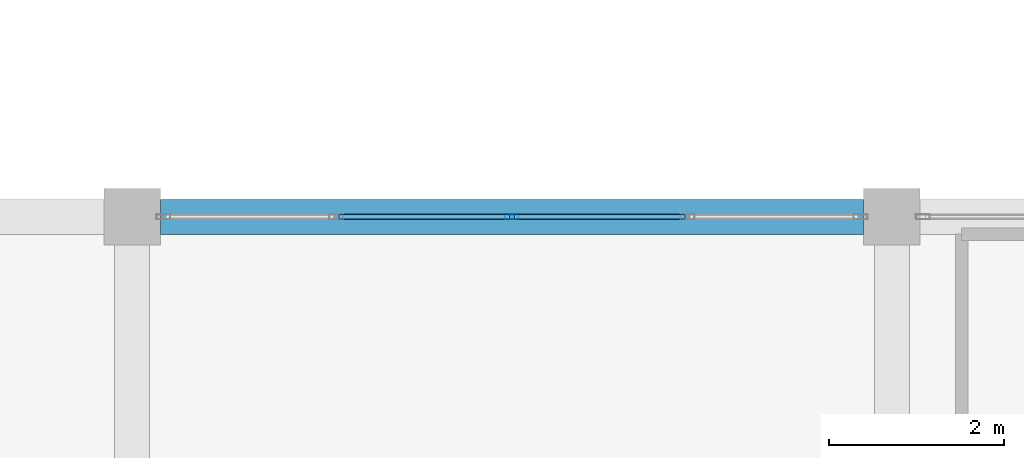
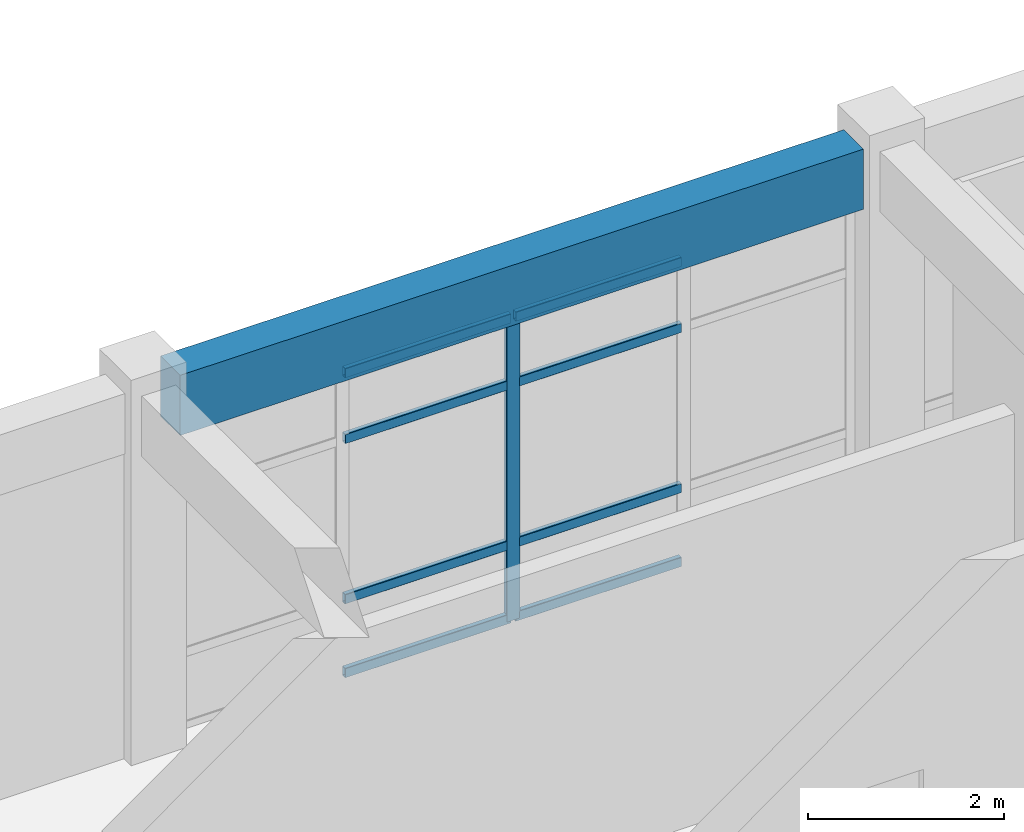
# One storey, part 11 of 41: 9 members, 1 beam, 1 element without a shape of its own.
"""IFC4 building model written with IfcOpenShell, lengths in metres."""

from ifc_helpers import new_model, si_unit, derived_unit, direction, frame, origin, origin_2d, place, context, subcontext, project, spatial, rectangle, hollow_rectangle, extrude, material, layer, layer_set, material_profile, profile_set, type_object, element, aggregate, save


model = new_model("IFC4")

# Units and contexts
model_context = context("Model", 3, precision=1e-05, world=origin(), true_north=direction((0.0, 1.0)))
body_context = subcontext(model_context, "Body", "Model", "MODEL_VIEW")
ifc_project = project(units=[si_unit("LENGTHUNIT", "METRE"), si_unit("AREAUNIT", "SQUARE_METRE"), si_unit("VOLUMEUNIT", "CUBIC_METRE"), si_unit("PLANEANGLEUNIT", "RADIAN"), si_unit("MASSUNIT", "GRAM", prefix="KILO"), derived_unit("THERMALTRANSMITTANCEUNIT", [(si_unit("MASSUNIT", "GRAM", prefix="KILO"), 1), (si_unit("TIMEUNIT", "SECOND"), -3), (si_unit("THERMODYNAMICTEMPERATUREUNIT", "KELVIN"), -1)])], contexts=[model_context])

# Site, building, storey
site_placement = place(None, origin())
site = spatial("IfcSite", under=ifc_project, at=site_placement, CompositionType="ELEMENT")
building_placement = place(site_placement, origin())
building = spatial("IfcBuilding", under=site, at=building_placement, Name="Qinzheling Arcade Emporium", CompositionType="ELEMENT")
storey_placement = place(building_placement, frame((0.0, 0.0, 36.300048828125)))
storey = spatial("IfcBuildingStorey", under=building, at=storey_placement, Name="L08", CompositionType="ELEMENT", Elevation=36.300048828125)

# Curtain wall, members
ifc_material_1 = material(Name="Anodised aluminium and solar-control double glazing", Category="aluminium")
ifc_layer = layer(ifc_material_1, 0.159912109375, Name="Anodised aluminium and solar-control double glazing", Category="aluminium")
ifc_layer_set = layer_set([ifc_layer], Name="Anodised aluminium and solar-control double glazing")
curtain_wall_type = type_object("IfcCurtainWallType", Name="Atrium Clerestory Curtain Wall", PredefinedType="NOTDEFINED", material=ifc_layer_set)
curtain_wall_placement = place(storey_placement, origin())
curtain_wall = element("IfcCurtainWall", 1, at=curtain_wall_placement, inside=storey, type_object=curtain_wall_type, Name="Curtain Wall CW-L08-463", PredefinedType="NOTDEFINED")
ifc_material_2 = material(Name="Anodised aluminium 6063-T6", Category="aluminium")
ifc_material_profile_1 = material_profile(ifc_material_2, hollow_rectangle(XDim=0.06005859375, YDim=0.159912109375, WallThickness=0.00390625, InnerFilletRadius=0.00390625, OuterFilletRadius=0.008056640625, at=origin_2d()), Name="RHS 160x60x4", Category="aluminium")
ifc_profile_set_1 = profile_set([ifc_material_profile_1], Name="Anodised aluminium 6063-T6")
member_type_1 = type_object("IfcMemberType", Name="Curtain Wall Mullion RHS160x60", PredefinedType="MULLION", material=ifc_profile_set_1)
member_1_placement = place(storey_placement, frame((30.449951171875, 42.0, 0.0), z_axis=(0.0, 0.0, 1.0), x_axis=(0.0, 1.0, 0.0)))
member_1 = element("IfcMember", 2, at=member_1_placement, type_object=member_type_1, Name="CW03 mullion 3", PredefinedType="MULLION", context=body_context, shape_type="SweptSolid", body=[
    extrude(hollow_rectangle(XDim=0.06005859375, YDim=0.159912109375, WallThickness=0.00390625, InnerFilletRadius=0.00390625, OuterFilletRadius=0.008056640625, at=origin_2d()), origin(), (0.0, 0.0, 1.0), 3.794921875),
])
ifc_material_profile_2 = material_profile(ifc_material_2, hollow_rectangle(XDim=0.06005859375, YDim=0.1201171875, WallThickness=0.00390625, InnerFilletRadius=0.00390625, OuterFilletRadius=0.008056640625, at=origin_2d()), Name="RHS 120x60x4", Category="aluminium")
ifc_profile_set_2 = profile_set([ifc_material_profile_2], Name="Anodised aluminium 6063-T6")
member_type_2 = type_object("IfcMemberType", Name="Curtain Wall Transom RHS120x60", PredefinedType="USERDEFINED", material=ifc_profile_set_2)
member_2_placement = place(storey_placement, frame((28.468505859375, 42.0, 0.030029296875), z_axis=(1.0, 0.0, 0.0), x_axis=(0.0, 1.0, 0.0)))
member_2 = element("IfcMember", 3, at=member_2_placement, type_object=member_type_2, Name="CW03 transom 2.1", ObjectType="TRANSOM", PredefinedType="USERDEFINED", context=body_context, shape_type="SweptSolid", body=[
    extrude(hollow_rectangle(XDim=0.06005859375, YDim=0.1201171875, WallThickness=0.00390625, InnerFilletRadius=0.00390625, OuterFilletRadius=0.008056640625, at=origin_2d()), origin(), (0.0, 0.0, 1.0), 1.951416015625),
])
member_3_placement = place(storey_placement, frame((28.468505859375, 42.0, 0.949951171875), z_axis=(1.0, 0.0, 0.0), x_axis=(0.0, 1.0, 0.0)))
member_3 = element("IfcMember", 4, at=member_3_placement, type_object=member_type_2, Name="CW03 transom 2.2", ObjectType="TRANSOM", PredefinedType="USERDEFINED", context=body_context, shape_type="SweptSolid", body=[
    extrude(hollow_rectangle(XDim=0.06005859375, YDim=0.1201171875, WallThickness=0.00390625, InnerFilletRadius=0.00390625, OuterFilletRadius=0.008056640625, at=origin_2d()), origin(), (0.0, 0.0, 1.0), 1.951416015625),
])
member_4_placement = place(storey_placement, frame((28.468505859375, 42.0, 2.945068359375), z_axis=(1.0, 0.0, 0.0), x_axis=(0.0, 1.0, 0.0)))
member_4 = element("IfcMember", 5, at=member_4_placement, type_object=member_type_2, Name="CW03 transom 2.3", ObjectType="TRANSOM", PredefinedType="USERDEFINED", context=body_context, shape_type="SweptSolid", body=[
    extrude(hollow_rectangle(XDim=0.06005859375, YDim=0.1201171875, WallThickness=0.00390625, InnerFilletRadius=0.00390625, OuterFilletRadius=0.008056640625, at=origin_2d()), origin(), (0.0, 0.0, 1.0), 1.951416015625),
])
member_5_placement = place(storey_placement, frame((28.468505859375, 42.0, 3.764892578125), z_axis=(1.0, 0.0, 0.0), x_axis=(0.0, 1.0, 0.0)))
member_5 = element("IfcMember", 6, at=member_5_placement, type_object=member_type_2, Name="CW03 transom 2.4", ObjectType="TRANSOM", PredefinedType="USERDEFINED", context=body_context, shape_type="SweptSolid", body=[
    extrude(hollow_rectangle(XDim=0.06005859375, YDim=0.1201171875, WallThickness=0.00390625, InnerFilletRadius=0.00390625, OuterFilletRadius=0.008056640625, at=origin_2d()), origin(), (0.0, 0.0, 1.0), 1.951416015625),
])
member_6_placement = place(storey_placement, frame((30.47998046875, 42.0, 0.030029296875), z_axis=(1.0, 0.0, 0.0), x_axis=(0.0, 1.0, 0.0)))
member_6 = element("IfcMember", 7, at=member_6_placement, type_object=member_type_2, Name="CW03 transom 3.1", ObjectType="TRANSOM", PredefinedType="USERDEFINED", context=body_context, shape_type="SweptSolid", body=[
    extrude(hollow_rectangle(XDim=0.06005859375, YDim=0.1201171875, WallThickness=0.00390625, InnerFilletRadius=0.00390625, OuterFilletRadius=0.008056640625, at=origin_2d()), origin(), (0.0, 0.0, 1.0), 1.951416015625),
])
member_7_placement = place(storey_placement, frame((30.47998046875, 42.0, 0.949951171875), z_axis=(1.0, 0.0, 0.0), x_axis=(0.0, 1.0, 0.0)))
member_7 = element("IfcMember", 8, at=member_7_placement, type_object=member_type_2, Name="CW03 transom 3.2", ObjectType="TRANSOM", PredefinedType="USERDEFINED", context=body_context, shape_type="SweptSolid", body=[
    extrude(hollow_rectangle(XDim=0.06005859375, YDim=0.1201171875, WallThickness=0.00390625, InnerFilletRadius=0.00390625, OuterFilletRadius=0.008056640625, at=origin_2d()), origin(), (0.0, 0.0, 1.0), 1.951416015625),
])
member_8_placement = place(storey_placement, frame((30.47998046875, 42.0, 2.945068359375), z_axis=(1.0, 0.0, 0.0), x_axis=(0.0, 1.0, 0.0)))
member_8 = element("IfcMember", 9, at=member_8_placement, type_object=member_type_2, Name="CW03 transom 3.3", ObjectType="TRANSOM", PredefinedType="USERDEFINED", context=body_context, shape_type="SweptSolid", body=[
    extrude(hollow_rectangle(XDim=0.06005859375, YDim=0.1201171875, WallThickness=0.00390625, InnerFilletRadius=0.00390625, OuterFilletRadius=0.008056640625, at=origin_2d()), origin(), (0.0, 0.0, 1.0), 1.951416015625),
])
member_9_placement = place(storey_placement, frame((30.47998046875, 42.0, 3.764892578125), z_axis=(1.0, 0.0, 0.0), x_axis=(0.0, 1.0, 0.0)))
member_9 = element("IfcMember", 10, at=member_9_placement, type_object=member_type_2, Name="CW03 transom 3.4", ObjectType="TRANSOM", PredefinedType="USERDEFINED", context=body_context, shape_type="SweptSolid", body=[
    extrude(hollow_rectangle(XDim=0.06005859375, YDim=0.1201171875, WallThickness=0.00390625, InnerFilletRadius=0.00390625, OuterFilletRadius=0.008056640625, at=origin_2d()), origin(), (0.0, 0.0, 1.0), 1.951416015625),
])
aggregate(curtain_wall, [member_1, member_2, member_3, member_4, member_5, member_6, member_7, member_8, member_9])

# Beam
ifc_material_3 = material(Name="Concrete C40", Category="concrete")
ifc_material_profile_3 = material_profile(ifc_material_3, rectangle(XDim=0.39990234375, YDim=0.75, at=origin_2d()), Name="RC 400x750", Category="concrete")
ifc_profile_set_3 = profile_set([ifc_material_profile_3], Name="Concrete C40")
beam_type = type_object("IfcBeamType", Name="RC Interior Tie Beam 400x750 C40", PredefinedType="BEAM", material=ifc_profile_set_3)
beam_placement = place(storey_placement, frame((26.425048828125, 42.0, 4.18505859375), z_axis=(1.0, 0.0, 0.0), x_axis=(0.0, 1.0, 0.0)))
element("IfcBeam", 11, at=beam_placement, inside=storey, type_object=beam_type, Name="Beam BM-L08-X-F-4", PredefinedType="BEAM", context=body_context, shape_type="SweptSolid", body=[
    extrude(rectangle(XDim=0.39990234375, YDim=0.75, at=origin_2d()), origin(), (0.0, 0.0, 1.0), 8.050048828125),
])

save(model, "model.ifc")
